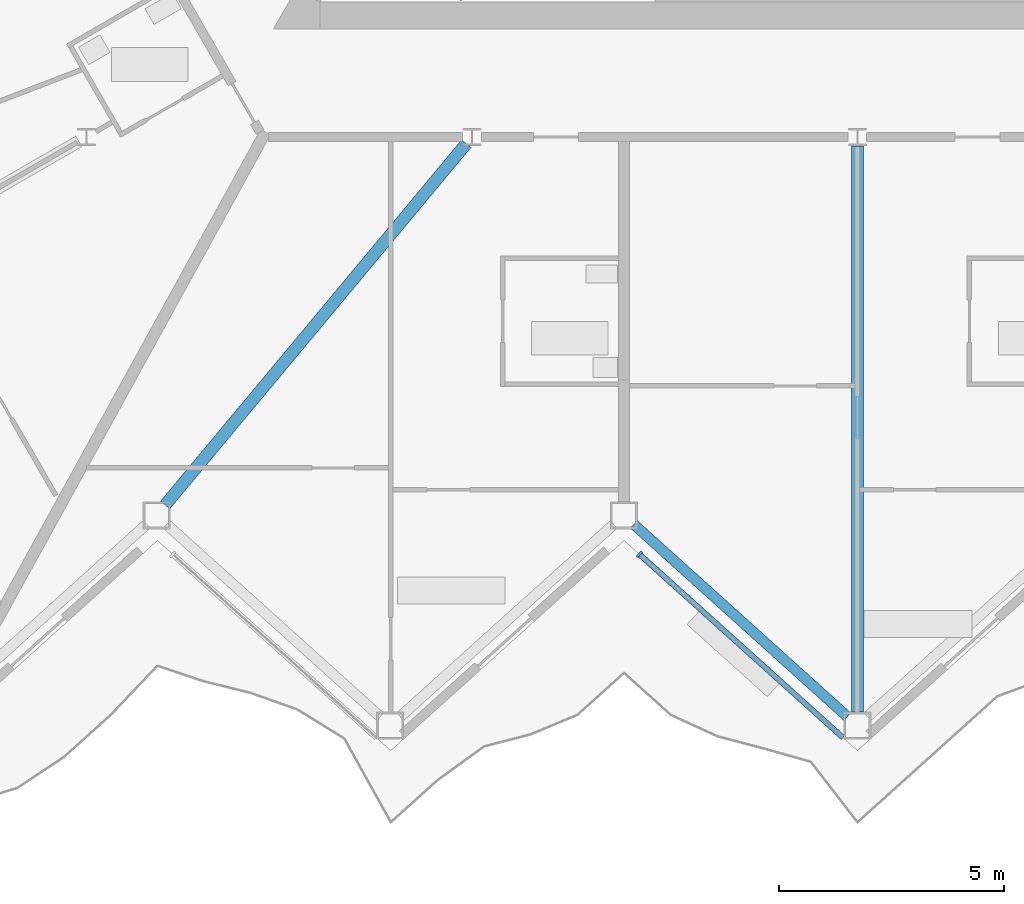
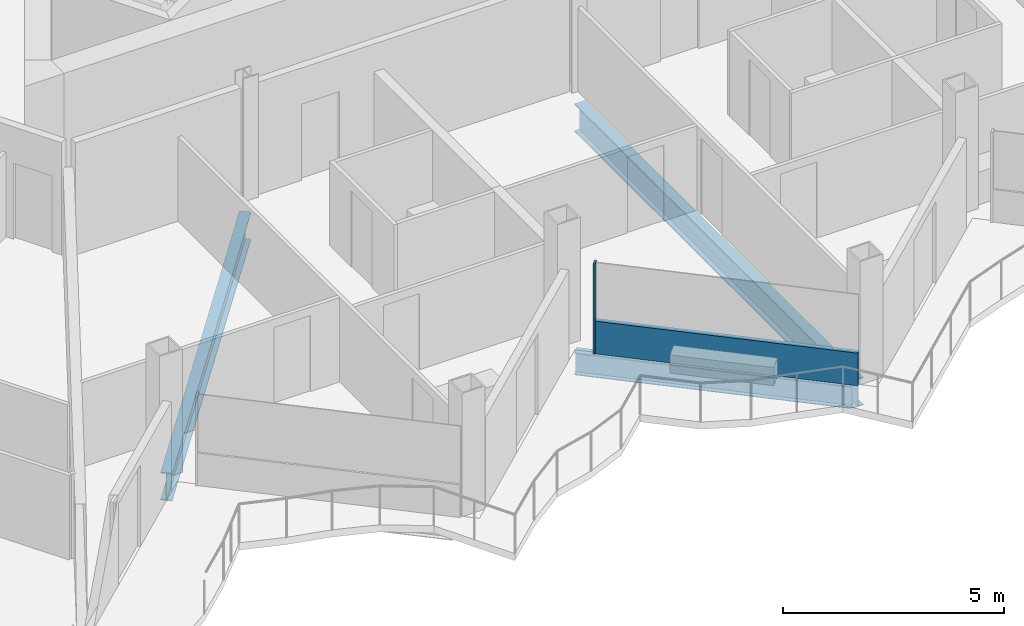
# One storey, part 5 of 27: 3 beams, 2 members, 1 element without a shape of its own.
"""IFC4 building model written with IfcOpenShell, lengths in metres."""

from ifc_helpers import new_model, si_unit, direction, frame, origin, origin_2d, place, context, subcontext, project, spatial, rectangle, i_section, extrude, material, layer, layer_set, material_profile, profile_set, type_object, element, aggregate, save


model = new_model("IFC4")

# Units and contexts
model_context = context("Model", 3, precision=1e-05, world=origin(), true_north=direction((0.0, 1.0)))
body_context = subcontext(model_context, "Body", "Model", "MODEL_VIEW")
ifc_project = project(units=[si_unit("LENGTHUNIT", "METRE"), si_unit("AREAUNIT", "SQUARE_METRE"), si_unit("VOLUMEUNIT", "CUBIC_METRE"), si_unit("PLANEANGLEUNIT", "RADIAN"), si_unit("MASSUNIT", "GRAM", prefix="KILO")], contexts=[model_context])

# Site, building, storey
site_placement = place(None, origin())
site = spatial("IfcSite", under=ifc_project, at=site_placement, CompositionType="ELEMENT")
building_placement = place(site_placement, origin())
building = spatial("IfcBuilding", under=site, at=building_placement, Name="Cormorant Prow Tower", CompositionType="ELEMENT")
storey_placement = place(building_placement, frame((0.0, 0.0, 318.800048828125)))
storey = spatial("IfcBuildingStorey", under=building, at=storey_placement, Name="L70", CompositionType="ELEMENT", Elevation=318.800048828125)

# Beams
ifc_material_1 = material(Name="Structural steel ASTM A992 Gr 50", Category="steel")
ifc_material_profile_1 = material_profile(ifc_material_1, i_section(OverallWidth=0.267822265625, OverallDepth=0.77001953125, WebThickness=0.015625, FlangeThickness=0.025390625, at=origin_2d()), Name="W30x132")
ifc_profile_set_1 = profile_set([ifc_material_profile_1], Name="Structural steel ASTM A992 Gr 50")
beam_type_1 = type_object("IfcBeamType", Name="Radial floor beam W30x132", PredefinedType="BEAM", material=ifc_profile_set_1)
beam_1_placement = place(storey_placement, frame((-8.705078125, -10.057373046875, -0.68505859375), z_axis=(-0.640239469619, -0.768175384624, 0.0), x_axis=(0.768175384624, -0.640239469619, 0.0)))
element("IfcBeam", 1, at=beam_1_placement, inside=storey, type_object=beam_type_1, Name="Radial floor beam FB3 6 L70", PredefinedType="BEAM", context=body_context, shape_type="SweptSolid", body=[
    extrude(i_section(OverallWidth=0.267822265625, OverallDepth=0.77001953125, WebThickness=0.015625, FlangeThickness=0.025390625, at=origin_2d()), origin(), (0.0, 0.0, 1.0), 10.465087890625),
])
beam_2_placement = place(storey_placement, frame((0.0, -10.103271484375, -0.68505859375), z_axis=(0.0, -1.0, 0.0), x_axis=(1.0, 0.0, 0.0)))
element("IfcBeam", 2, at=beam_2_placement, inside=storey, type_object=beam_type_1, Name="Radial floor beam FB3 7 L70", PredefinedType="BEAM", context=body_context, shape_type="SweptSolid", body=[
    extrude(i_section(OverallWidth=0.267822265625, OverallDepth=0.77001953125, WebThickness=0.015625, FlangeThickness=0.025390625, at=origin_2d()), origin(), (0.0, 0.0, 1.0), 12.604736328125),
])

# Curtain wall, members
ifc_material_2 = material(Name="Aluminium 6063-T6", Category="aluminium")
ifc_layer = layer(ifc_material_2, 0.159912109375)
ifc_layer_set = layer_set([ifc_layer], Name="Aluminium 6063-T6")
curtain_wall_type = type_object("IfcCurtainWallType", Name="Residential unitised curtain wall 160", PredefinedType="NOTDEFINED", material=ifc_layer_set)
curtain_wall_placement = place(storey_placement, origin())
curtain_wall = element("IfcCurtainWall", 3, at=curtain_wall_placement, inside=storey, type_object=curtain_wall_type, Name="Residential curtain wall S04", PredefinedType="NOTDEFINED")
ifc_material_3 = material(Name="Aluminium 6063-T6", Category="aluminium")
ifc_material_profile_2 = material_profile(ifc_material_3, rectangle(XDim=0.159912109375, YDim=0.050048828125, at=origin_2d()), Name="Residential mullion 50x160")
ifc_profile_set_2 = profile_set([ifc_material_profile_2], Name="Aluminium 6063-T6")
member_type_1 = type_object("IfcMemberType", Name="Residential mullion 50x160", PredefinedType="MULLION", material=ifc_profile_set_2)
member_1_placement = place(storey_placement, frame((-4.851806640625, -19.193603515625, 0.0), z_axis=(0.0, 0.0, 1.0), x_axis=(0.669130619757, 0.743144813413, 0.0)))
member_1 = element("IfcMember", 4, at=member_1_placement, type_object=member_type_1, Name="Residential mullion S04", PredefinedType="MULLION", context=body_context, shape_type="SweptSolid", body=[
    extrude(rectangle(XDim=0.159912109375, YDim=0.050048828125, at=origin_2d()), origin(), (0.0, 0.0, 1.0), 2.48779296875),
])
ifc_material_4 = material(Name="Terracotta", Category="masonry")
ifc_material_profile_3 = material_profile(ifc_material_4, rectangle(XDim=0.1201171875, YDim=0.89990234375, at=origin_2d()), Name="Residential terracotta spandrel rail 120x900")
ifc_profile_set_3 = profile_set([ifc_material_profile_3], Name="Terracotta")
member_type_2 = type_object("IfcMemberType", Name="Residential terracotta spandrel rail 120x900", PredefinedType="USERDEFINED", material=ifc_profile_set_3)
member_2_placement = place(storey_placement, frame((-4.833251953125, -19.21044921875, 0.449951171875), z_axis=(0.743162128872, -0.669111388492, 0.0), x_axis=(0.669111388492, 0.743162128872, 0.0)))
member_2 = element("IfcMember", 5, at=member_2_placement, type_object=member_type_2, Name="Residential spandrel rail S04", ObjectType="TRANSOM", PredefinedType="USERDEFINED", context=body_context, shape_type="SweptSolid", body=[
    extrude(rectangle(XDim=0.1201171875, YDim=0.89990234375, at=origin_2d()), origin(), (0.0, 0.0, 1.0), 6.069580078125),
])
aggregate(curtain_wall, [member_1, member_2])

# Beam
ifc_material_5 = material(Name="Structural steel ASTM A992 Gr 50", Category="steel")
ifc_material_profile_4 = material_profile(ifc_material_5, i_section(OverallWidth=0.22900390625, OverallDepth=0.612060546875, WebThickness=0.011962890625, FlangeThickness=0.01953125, at=origin_2d()), Name="W24x84")
ifc_profile_set_4 = profile_set([ifc_material_profile_4], Name="Structural steel ASTM A992 Gr 50")
beam_type_2 = type_object("IfcBeamType", Name="Spandrel beam W24x84", PredefinedType="SPANDREL", material=ifc_profile_set_4)
beam_3_placement = place(storey_placement, frame((-4.97607421875, -18.527587890625, -0.606201171875), z_axis=(0.743144186555, -0.669131315954, 0.0), x_axis=(0.669131315954, 0.743144186555, 0.0)))
element("IfcBeam", 6, at=beam_3_placement, inside=storey, type_object=beam_type_2, Name="Spandrel beam SB3 S04-S05 L70", PredefinedType="SPANDREL", context=body_context, shape_type="SweptSolid", body=[
    extrude(i_section(OverallWidth=0.22900390625, OverallDepth=0.612060546875, WebThickness=0.011962890625, FlangeThickness=0.01953125, at=origin_2d()), origin(), (0.0, 0.0, 1.0), 6.39599609375),
])

save(model, "model.ifc")
